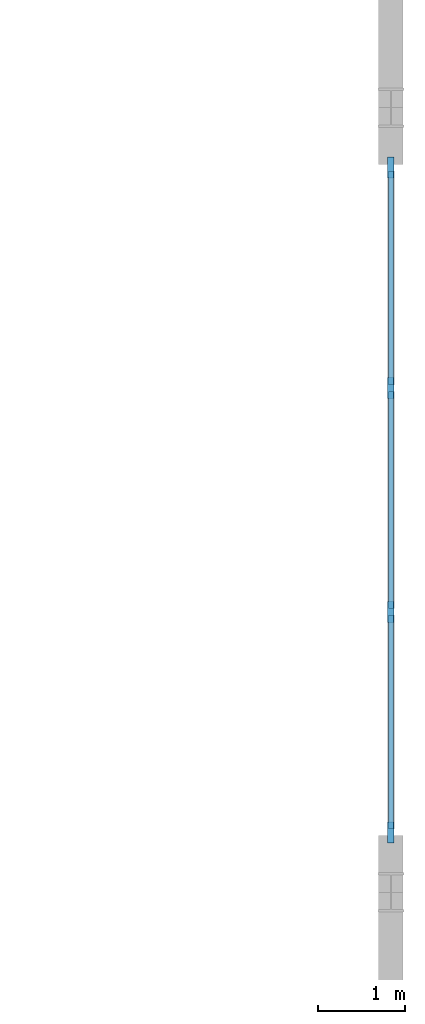
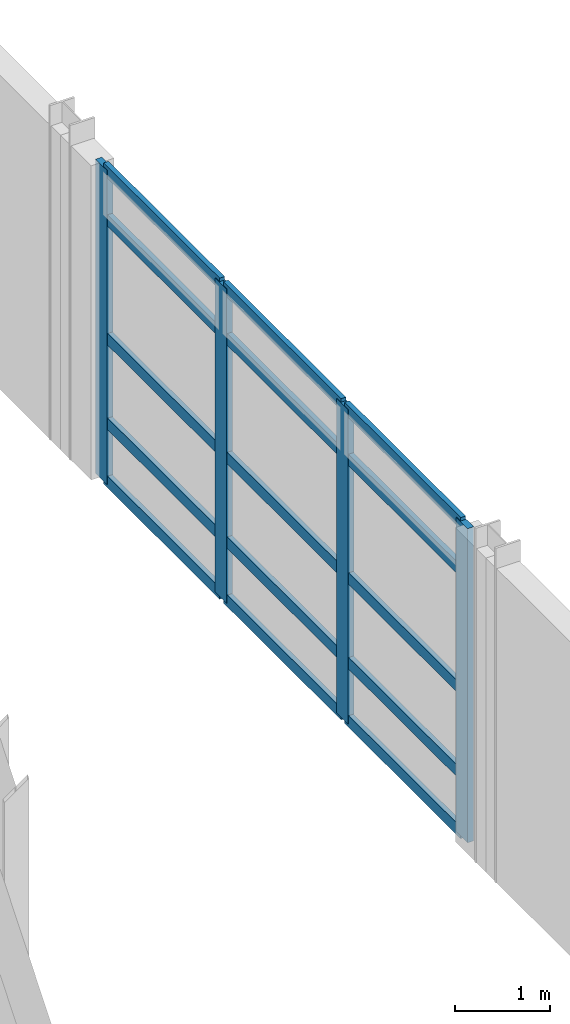
# One storey, part 42 of 72: 19 members, 1 element without a shape of its own.
"""IFC4 building model written with IfcOpenShell, lengths in metres."""

from ifc_helpers import new_model, si_unit, direction, frame, origin, origin_2d, place, context, subcontext, project, spatial, rectangle, extrude, material, material_profile, profile_set, type_object, element, aggregate, save


model = new_model("IFC4")

# Units and contexts
model_context = context("Model", 3, precision=1e-05, world=origin(), true_north=direction((0.0, 1.0)))
body_context = subcontext(model_context, "Body", "Model", "MODEL_VIEW")
ifc_project = project(units=[si_unit("LENGTHUNIT", "METRE"), si_unit("AREAUNIT", "SQUARE_METRE"), si_unit("VOLUMEUNIT", "CUBIC_METRE"), si_unit("PLANEANGLEUNIT", "RADIAN"), si_unit("MASSUNIT", "GRAM", prefix="KILO")], contexts=[model_context])

# Site, building, storey
site_placement = place(None, origin())
site = spatial("IfcSite", under=ifc_project, at=site_placement, CompositionType="ELEMENT")
building_placement = place(site_placement, origin())
building = spatial("IfcBuilding", under=site, at=building_placement, Name="Palais des Congres Ocreval", CompositionType="ELEMENT")
storey_placement = place(building_placement, origin())
storey = spatial("IfcBuildingStorey", under=building, at=storey_placement, Name="L00", CompositionType="ELEMENT", Elevation=0.0)

# Curtain wall, members
ifc_material_1 = material(Name="Anodized bronze aluminium and low-E glass", Category="glass")
curtain_wall_type = type_object("IfcCurtainWallType", Name="Unitised Curtain Wall 7900x4060", PredefinedType="USERDEFINED", material=ifc_material_1)
curtain_wall_placement = place(storey_placement, origin())
curtain_wall = element("IfcCurtainWall", 1, at=curtain_wall_placement, inside=storey, type_object=curtain_wall_type, Name="Unitised Curtain Wall CW01 L00", ObjectType="UNITISED CURTAIN WALL", PredefinedType="USERDEFINED")
ifc_material_2 = material(Name="Anodized bronze aluminium", Category="aluminium")
ifc_material_profile_1 = material_profile(ifc_material_2, rectangle(XDim=0.074951171875, YDim=0.239990234375, at=origin_2d()), Name="ALU 75x240")
ifc_profile_set_1 = profile_set([ifc_material_profile_1], Name="Anodized bronze aluminium")
member_type_1 = type_object("IfcMemberType", Name="Curtain Wall Mullion ALU 75x240", PredefinedType="MULLION", material=ifc_profile_set_1)
member_1_placement = place(storey_placement, frame((168.0, 35.3125, 0.0), z_axis=(0.0, 0.0, 1.0), x_axis=(1.0, 0.0, 0.0)))
member_1 = element("IfcMember", 2, at=member_1_placement, type_object=member_type_1, Name="Curtain Wall Mullion ML01", PredefinedType="MULLION", context=body_context, shape_type="SweptSolid", body=[
    extrude(rectangle(XDim=0.074951171875, YDim=0.239990234375, at=origin_2d()), origin(), (0.0, 0.0, 1.0), 4.054931640625),
])
member_2_placement = place(storey_placement, frame((168.0, 32.783203125, 0.0), z_axis=(0.0, 0.0, 1.0), x_axis=(1.0, 0.0, 0.0)))
member_2 = element("IfcMember", 3, at=member_2_placement, type_object=member_type_1, Name="Curtain Wall Mullion ML01", PredefinedType="MULLION", context=body_context, shape_type="SweptSolid", body=[
    extrude(rectangle(XDim=0.074951171875, YDim=0.239990234375, at=origin_2d()), origin(), (0.0, 0.0, 1.0), 4.054931640625),
])
member_3_placement = place(storey_placement, frame((168.0, 30.216796875, 0.0), z_axis=(0.0, 0.0, 1.0), x_axis=(1.0, 0.0, 0.0)))
member_3 = element("IfcMember", 4, at=member_3_placement, type_object=member_type_1, Name="Curtain Wall Mullion ML01", PredefinedType="MULLION", context=body_context, shape_type="SweptSolid", body=[
    extrude(rectangle(XDim=0.074951171875, YDim=0.239990234375, at=origin_2d()), origin(), (0.0, 0.0, 1.0), 4.054931640625),
])
member_4_placement = place(storey_placement, frame((168.0, 27.6875, 0.0), z_axis=(0.0, 0.0, 1.0), x_axis=(1.0, 0.0, 0.0)))
member_4 = element("IfcMember", 5, at=member_4_placement, type_object=member_type_1, Name="Curtain Wall Mullion ML01", PredefinedType="MULLION", context=body_context, shape_type="SweptSolid", body=[
    extrude(rectangle(XDim=0.074951171875, YDim=0.239990234375, at=origin_2d()), origin(), (0.0, 0.0, 1.0), 4.054931640625),
])
ifc_material_profile_2 = material_profile(ifc_material_2, rectangle(XDim=0.06005859375, YDim=0.14990234375, at=origin_2d()), Name="ALU 60x150")
ifc_profile_set_2 = profile_set([ifc_material_profile_2], Name="Anodized bronze aluminium")
member_type_2 = type_object("IfcMemberType", Name="Curtain Wall Transom ALU 60x150", PredefinedType="USERDEFINED", material=ifc_profile_set_2)
member_5_placement = place(storey_placement, frame((168.0, 35.27490234375, 0.030029296875), z_axis=(0.0, -1.0, 0.0), x_axis=(1.0, 0.0, 0.0)))
member_5 = element("IfcMember", 6, at=member_5_placement, type_object=member_type_2, Name="Curtain Wall Transom TR01", ObjectType="TRANSOM", PredefinedType="USERDEFINED", context=body_context, shape_type="SweptSolid", body=[
    extrude(rectangle(XDim=0.06005859375, YDim=0.14990234375, at=origin_2d()), origin(), (0.0, 0.0, 1.0), 2.4541015625),
])
member_6_placement = place(storey_placement, frame((168.0, 35.27490234375, 0.780029296875), z_axis=(0.0, -1.0, 0.0), x_axis=(1.0, 0.0, 0.0)))
member_6 = element("IfcMember", 7, at=member_6_placement, type_object=member_type_2, Name="Curtain Wall Transom TR01", ObjectType="TRANSOM", PredefinedType="USERDEFINED", context=body_context, shape_type="SweptSolid", body=[
    extrude(rectangle(XDim=0.06005859375, YDim=0.14990234375, at=origin_2d()), origin(), (0.0, 0.0, 1.0), 2.4541015625),
])
member_7_placement = place(storey_placement, frame((168.0, 35.27490234375, 1.872802734375), z_axis=(0.0, -1.0, 0.0), x_axis=(1.0, 0.0, 0.0)))
member_7 = element("IfcMember", 8, at=member_7_placement, type_object=member_type_2, Name="Curtain Wall Transom TR01", ObjectType="TRANSOM", PredefinedType="USERDEFINED", context=body_context, shape_type="SweptSolid", body=[
    extrude(rectangle(XDim=0.06005859375, YDim=0.14990234375, at=origin_2d()), origin(), (0.0, 0.0, 1.0), 2.4541015625),
])
member_8_placement = place(storey_placement, frame((168.0, 35.27490234375, 3.405029296875), z_axis=(0.0, -1.0, 0.0), x_axis=(1.0, 0.0, 0.0)))
member_8 = element("IfcMember", 9, at=member_8_placement, type_object=member_type_2, Name="Curtain Wall Transom TR01", ObjectType="TRANSOM", PredefinedType="USERDEFINED", context=body_context, shape_type="SweptSolid", body=[
    extrude(rectangle(XDim=0.06005859375, YDim=0.14990234375, at=origin_2d()), origin(), (0.0, 0.0, 1.0), 2.4541015625),
])
member_9_placement = place(storey_placement, frame((168.0, 35.27490234375, 4.02490234375), z_axis=(0.0, -1.0, 0.0), x_axis=(1.0, 0.0, 0.0)))
member_9 = element("IfcMember", 10, at=member_9_placement, type_object=member_type_2, Name="Curtain Wall Transom TR01", ObjectType="TRANSOM", PredefinedType="USERDEFINED", context=body_context, shape_type="SweptSolid", body=[
    extrude(rectangle(XDim=0.06005859375, YDim=0.14990234375, at=origin_2d()), origin(), (0.0, 0.0, 1.0), 2.4541015625),
])
member_10_placement = place(storey_placement, frame((168.0, 32.745849609375, 0.030029296875), z_axis=(0.0, -1.0, 0.0), x_axis=(1.0, 0.0, 0.0)))
member_10 = element("IfcMember", 11, at=member_10_placement, type_object=member_type_2, Name="Curtain Wall Transom TR01", ObjectType="TRANSOM", PredefinedType="USERDEFINED", context=body_context, shape_type="SweptSolid", body=[
    extrude(rectangle(XDim=0.06005859375, YDim=0.14990234375, at=origin_2d()), origin(), (0.0, 0.0, 1.0), 2.49169921875),
])
member_11_placement = place(storey_placement, frame((168.0, 32.745849609375, 0.780029296875), z_axis=(0.0, -1.0, 0.0), x_axis=(1.0, 0.0, 0.0)))
member_11 = element("IfcMember", 12, at=member_11_placement, type_object=member_type_2, Name="Curtain Wall Transom TR01", ObjectType="TRANSOM", PredefinedType="USERDEFINED", context=body_context, shape_type="SweptSolid", body=[
    extrude(rectangle(XDim=0.06005859375, YDim=0.14990234375, at=origin_2d()), origin(), (0.0, 0.0, 1.0), 2.49169921875),
])
member_12_placement = place(storey_placement, frame((168.0, 32.745849609375, 1.872802734375), z_axis=(0.0, -1.0, 0.0), x_axis=(1.0, 0.0, 0.0)))
member_12 = element("IfcMember", 13, at=member_12_placement, type_object=member_type_2, Name="Curtain Wall Transom TR01", ObjectType="TRANSOM", PredefinedType="USERDEFINED", context=body_context, shape_type="SweptSolid", body=[
    extrude(rectangle(XDim=0.06005859375, YDim=0.14990234375, at=origin_2d()), origin(), (0.0, 0.0, 1.0), 2.49169921875),
])
member_13_placement = place(storey_placement, frame((168.0, 32.745849609375, 3.405029296875), z_axis=(0.0, -1.0, 0.0), x_axis=(1.0, 0.0, 0.0)))
member_13 = element("IfcMember", 14, at=member_13_placement, type_object=member_type_2, Name="Curtain Wall Transom TR01", ObjectType="TRANSOM", PredefinedType="USERDEFINED", context=body_context, shape_type="SweptSolid", body=[
    extrude(rectangle(XDim=0.06005859375, YDim=0.14990234375, at=origin_2d()), origin(), (0.0, 0.0, 1.0), 2.49169921875),
])
member_14_placement = place(storey_placement, frame((168.0, 32.745849609375, 4.02490234375), z_axis=(0.0, -1.0, 0.0), x_axis=(1.0, 0.0, 0.0)))
member_14 = element("IfcMember", 15, at=member_14_placement, type_object=member_type_2, Name="Curtain Wall Transom TR01", ObjectType="TRANSOM", PredefinedType="USERDEFINED", context=body_context, shape_type="SweptSolid", body=[
    extrude(rectangle(XDim=0.06005859375, YDim=0.14990234375, at=origin_2d()), origin(), (0.0, 0.0, 1.0), 2.49169921875),
])
member_15_placement = place(storey_placement, frame((168.0, 30.17919921875, 0.030029296875), z_axis=(0.0, -1.0, 0.0), x_axis=(1.0, 0.0, 0.0)))
member_15 = element("IfcMember", 16, at=member_15_placement, type_object=member_type_2, Name="Curtain Wall Transom TR01", ObjectType="TRANSOM", PredefinedType="USERDEFINED", context=body_context, shape_type="SweptSolid", body=[
    extrude(rectangle(XDim=0.06005859375, YDim=0.14990234375, at=origin_2d()), origin(), (0.0, 0.0, 1.0), 2.4541015625),
])
member_16_placement = place(storey_placement, frame((168.0, 30.17919921875, 0.780029296875), z_axis=(0.0, -1.0, 0.0), x_axis=(1.0, 0.0, 0.0)))
member_16 = element("IfcMember", 17, at=member_16_placement, type_object=member_type_2, Name="Curtain Wall Transom TR01", ObjectType="TRANSOM", PredefinedType="USERDEFINED", context=body_context, shape_type="SweptSolid", body=[
    extrude(rectangle(XDim=0.06005859375, YDim=0.14990234375, at=origin_2d()), origin(), (0.0, 0.0, 1.0), 2.4541015625),
])
member_17_placement = place(storey_placement, frame((168.0, 30.17919921875, 1.872802734375), z_axis=(0.0, -1.0, 0.0), x_axis=(1.0, 0.0, 0.0)))
member_17 = element("IfcMember", 18, at=member_17_placement, type_object=member_type_2, Name="Curtain Wall Transom TR01", ObjectType="TRANSOM", PredefinedType="USERDEFINED", context=body_context, shape_type="SweptSolid", body=[
    extrude(rectangle(XDim=0.06005859375, YDim=0.14990234375, at=origin_2d()), origin(), (0.0, 0.0, 1.0), 2.4541015625),
])
member_18_placement = place(storey_placement, frame((168.0, 30.17919921875, 3.405029296875), z_axis=(0.0, -1.0, 0.0), x_axis=(1.0, 0.0, 0.0)))
member_18 = element("IfcMember", 19, at=member_18_placement, type_object=member_type_2, Name="Curtain Wall Transom TR01", ObjectType="TRANSOM", PredefinedType="USERDEFINED", context=body_context, shape_type="SweptSolid", body=[
    extrude(rectangle(XDim=0.06005859375, YDim=0.14990234375, at=origin_2d()), origin(), (0.0, 0.0, 1.0), 2.4541015625),
])
member_19_placement = place(storey_placement, frame((168.0, 30.17919921875, 4.02490234375), z_axis=(0.0, -1.0, 0.0), x_axis=(1.0, 0.0, 0.0)))
member_19 = element("IfcMember", 20, at=member_19_placement, type_object=member_type_2, Name="Curtain Wall Transom TR01", ObjectType="TRANSOM", PredefinedType="USERDEFINED", context=body_context, shape_type="SweptSolid", body=[
    extrude(rectangle(XDim=0.06005859375, YDim=0.14990234375, at=origin_2d()), origin(), (0.0, 0.0, 1.0), 2.4541015625),
])
aggregate(curtain_wall, [member_1, member_2, member_3, member_4, member_5, member_6, member_7, member_8, member_9, member_10, member_11, member_12, member_13, member_14, member_15, member_16, member_17, member_18, member_19])

save(model, "model.ifc")
